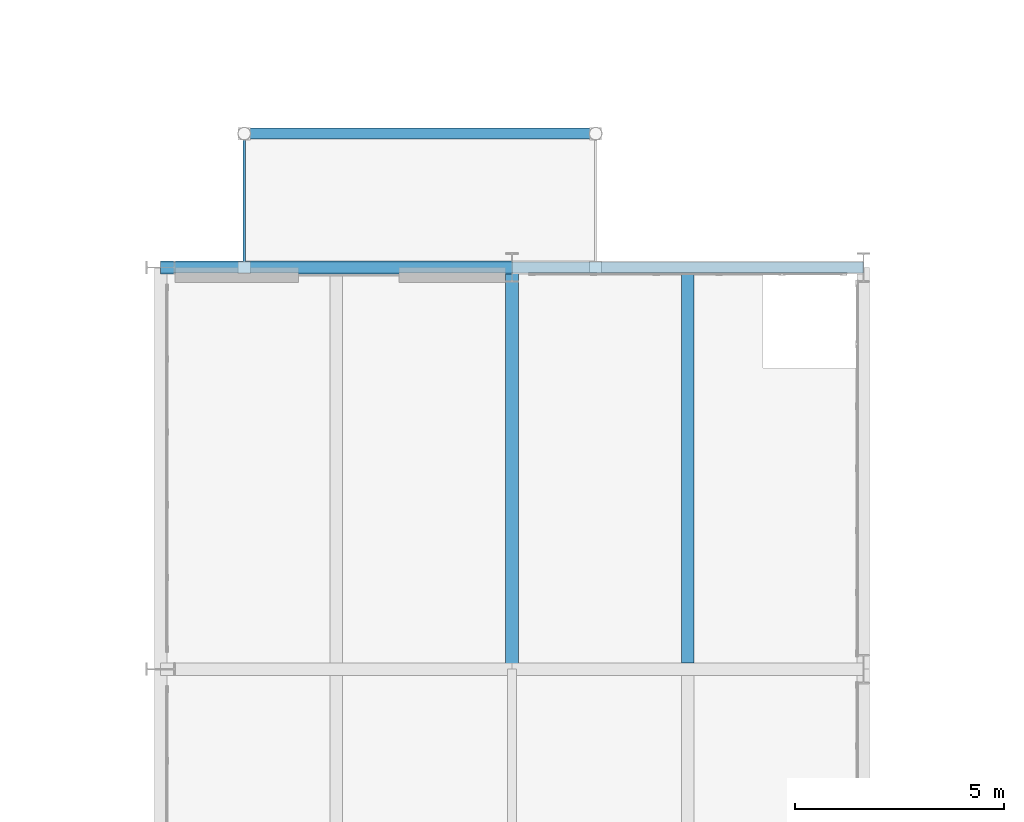
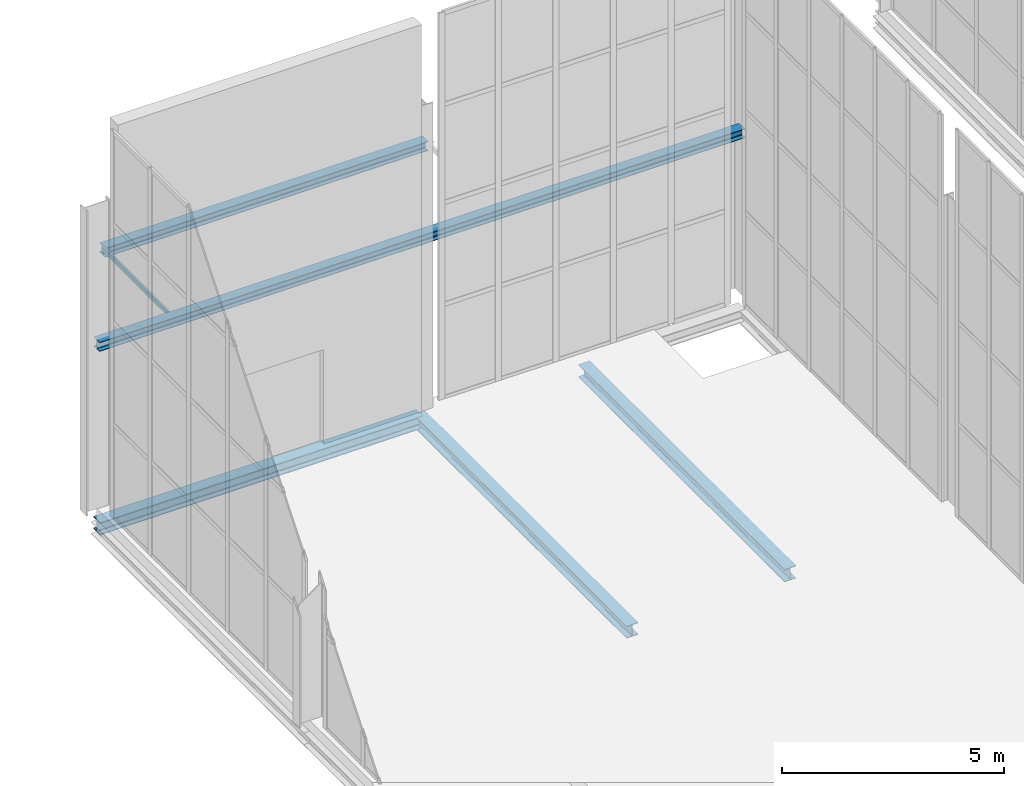
# One storey, part 63 of 131: 5 beams, 1 member.
"""IFC4 building model written with IfcOpenShell, lengths in metres."""

from ifc_helpers import new_model, si_unit, direction, frame, origin, origin_2d, place, context, subcontext, project, spatial, hollow_rectangle, i_section, extrude, material, material_profile, profile_set, type_object, element, save


model = new_model("IFC4")

# Units and contexts
model_context = context("Model", 3, precision=1e-05, world=origin(), true_north=direction((0.0, 1.0)))
body_context = subcontext(model_context, "Body", "Model", "MODEL_VIEW")
ifc_project = project(units=[si_unit("LENGTHUNIT", "METRE"), si_unit("AREAUNIT", "SQUARE_METRE"), si_unit("VOLUMEUNIT", "CUBIC_METRE"), si_unit("PLANEANGLEUNIT", "RADIAN"), si_unit("MASSUNIT", "GRAM", prefix="KILO")], contexts=[model_context])

# Site, building, storey
site_placement = place(None, origin())
site = spatial("IfcSite", under=ifc_project, at=site_placement, CompositionType="ELEMENT")
building_placement = place(site_placement, origin())
building = spatial("IfcBuilding", under=site, at=building_placement, Name="Veltarok Museum of Natural Sciences", CompositionType="ELEMENT")
storey_placement = place(building_placement, origin())
storey = spatial("IfcBuildingStorey", under=building, at=storey_placement, Name="L00", CompositionType="ELEMENT", Elevation=0.0)

# Member
ifc_material = material(Name="Steel S355J2", Category="steel")
ifc_material_profile_1 = material_profile(ifc_material, hollow_rectangle(XDim=0.06005859375, YDim=0.1201171875, WallThickness=0.0048828125, at=origin_2d()), Name="RHS 120x60x5")
ifc_profile_set_1 = profile_set([ifc_material_profile_1], Name="Steel S355J2")
member_type = type_object("IfcMemberType", Name="Canopy Glazing Purlin RHS 120x60x5", PredefinedType="PURLIN", material=ifc_profile_set_1)
member_placement = place(storey_placement, frame((33.60009765625, 104.0, 4.5400390625), z_axis=(0.0, -1.0, 0.0), x_axis=(1.0, 0.0, 0.0)))
element("IfcMember", 1, at=member_placement, inside=storey, type_object=member_type, Name="Canopy Purlin CAN-N-1", PredefinedType="PURLIN", context=body_context, shape_type="SweptSolid", body=[
    extrude(hollow_rectangle(XDim=0.06005859375, YDim=0.1201171875, WallThickness=0.0048828125, at=origin_2d()), origin(), (0.0, 0.0, 1.0), 3.199951171875),
])

# Beams
ifc_material_profile_2 = material_profile(ifc_material, i_section(OverallWidth=0.300048828125, OverallDepth=0.35009765625, WebThickness=0.010009765625, FlangeThickness=0.017578125, FilletRadius=0.027099609375, at=origin_2d()), Name="HEA 360")
ifc_profile_set_2 = profile_set([ifc_material_profile_2], Name="Steel S355J2")
beam_type_1 = type_object("IfcBeamType", Name="Long-Span Gallery Joist HEA 360", PredefinedType="JOIST", material=ifc_profile_set_2)
beam_1_placement = place(storey_placement, frame((44.199951171875, 91.347900390625, -0.47509765625), z_axis=(0.0, 1.0, 0.0), x_axis=(-1.0, 0.0, 0.0)))
element("IfcBeam", 2, at=beam_1_placement, inside=storey, type_object=beam_type_1, Name="Secondary Joist BM-J07 L00 5-6/K-L.1", PredefinedType="JOIST", context=body_context, shape_type="SweptSolid", body=[
    extrude(i_section(OverallWidth=0.300048828125, OverallDepth=0.35009765625, WebThickness=0.010009765625, FlangeThickness=0.017578125, FilletRadius=0.027099609375, at=origin_2d()), origin(), (0.0, 0.0, 1.0), 9.30419921875),
])
ifc_material_profile_3 = material_profile(ifc_material, i_section(OverallWidth=0.300048828125, OverallDepth=0.340087890625, WebThickness=0.011962890625, FlangeThickness=0.021484375, FilletRadius=0.027099609375, at=origin_2d()), Name="HEB 340")
ifc_profile_set_3 = profile_set([ifc_material_profile_3], Name="Steel S355J2")
beam_type_2 = type_object("IfcBeamType", Name="Perimeter Bridge Spandrel HEB 340", PredefinedType="SPANDREL", material=ifc_profile_set_3)
beam_2_placement = place(storey_placement, frame((31.60009765625, 100.800048828125, -0.469970703125), z_axis=(1.0, 0.0, 0.0), x_axis=(0.0, 1.0, 0.0)))
element("IfcBeam", 3, at=beam_2_placement, inside=storey, type_object=beam_type_2, Name="Beam BM-SP07 L00 4-5/L", PredefinedType="SPANDREL", context=body_context, shape_type="SweptSolid", body=[
    extrude(i_section(OverallWidth=0.300048828125, OverallDepth=0.340087890625, WebThickness=0.011962890625, FlangeThickness=0.021484375, FilletRadius=0.027099609375, at=origin_2d()), origin(), (0.0, 0.0, 1.0), 8.39990234375),
])
beam_3_placement = place(storey_placement, frame((40.0, 91.199951171875, -0.469970703125), z_axis=(0.0, 1.0, 0.0), x_axis=(-1.0, 0.0, 0.0)))
element("IfcBeam", 4, at=beam_3_placement, inside=storey, type_object=beam_type_2, Name="Beam BM-SP07 L00 5/K-L", PredefinedType="SPANDREL", context=body_context, shape_type="SweptSolid", body=[
    extrude(i_section(OverallWidth=0.300048828125, OverallDepth=0.340087890625, WebThickness=0.011962890625, FlangeThickness=0.021484375, FilletRadius=0.027099609375, at=origin_2d()), origin(), (0.0, 0.0, 1.0), 9.60009765625),
])
ifc_material_profile_4 = material_profile(ifc_material, i_section(OverallWidth=0.260009765625, OverallDepth=0.25, WebThickness=0.007568359375, FlangeThickness=0.012451171875, FilletRadius=0.02392578125, at=origin_2d()), Name="HEA 260")
ifc_profile_set_4 = profile_set([ifc_material_profile_4], Name="Steel S355J2")
beam_type_3 = type_object("IfcBeamType", Name="Portal and Dock Lintel Beam HEA 260", PredefinedType="LINTEL", material=ifc_profile_set_4)
beam_4_placement = place(storey_placement, frame((33.60009765625, 104.0, 4.47509765625), z_axis=(1.0, 0.0, 0.0), x_axis=(0.0, 1.0, 0.0)))
element("IfcBeam", 5, at=beam_4_placement, inside=storey, type_object=beam_type_3, Name="Canopy Edge Beam CAN-N", PredefinedType="LINTEL", context=body_context, shape_type="SweptSolid", body=[
    extrude(i_section(OverallWidth=0.260009765625, OverallDepth=0.25, WebThickness=0.007568359375, FlangeThickness=0.012451171875, FilletRadius=0.02392578125, at=origin_2d()), origin(), (0.0, 0.0, 1.0), 8.39990234375),
])
beam_5_placement = place(storey_placement, frame((31.60009765625, 100.800048828125, 4.52490234375), z_axis=(1.0, 0.0, 0.0), x_axis=(0.0, 1.0, 0.0)))
element("IfcBeam", 6, at=beam_5_placement, inside=storey, type_object=beam_type_3, Name="Portal Lintel Beam LN-PAS-N", PredefinedType="LINTEL", context=body_context, shape_type="SweptSolid", body=[
    extrude(i_section(OverallWidth=0.260009765625, OverallDepth=0.25, WebThickness=0.007568359375, FlangeThickness=0.012451171875, FilletRadius=0.02392578125, at=origin_2d()), origin(), (0.0, 0.0, 1.0), 16.7998046875),
])

save(model, "model.ifc")
